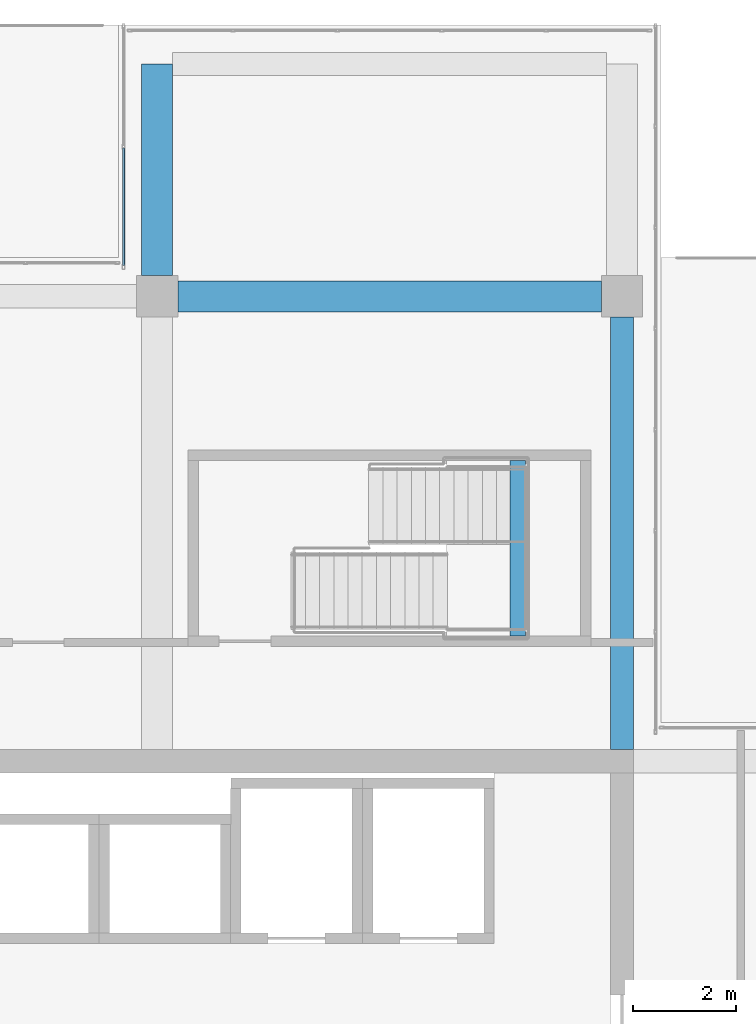
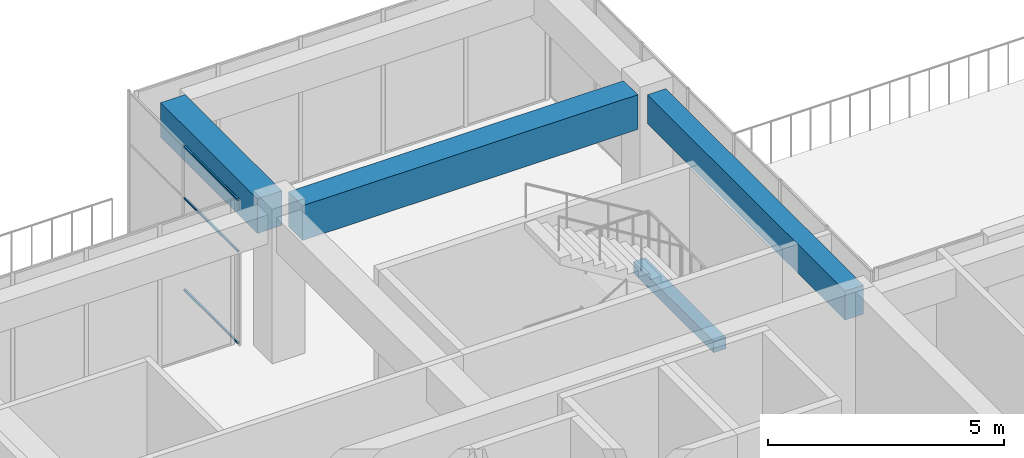
# One storey, part 50 of 81: 4 beams, 3 members, 1 element without a shape of its own.
"""IFC4 building model written with IfcOpenShell, lengths in metres."""

from ifc_helpers import new_model, si_unit, direction, frame, origin, origin_2d, place, context, subcontext, project, spatial, rectangle, hollow_rectangle, extrude, material, layer, layer_set, material_profile, profile_set, type_object, element, aggregate, save


model = new_model("IFC4")

# Units and contexts
model_context = context("Model", 3, precision=1e-05, world=origin(), true_north=direction((0.0, 1.0)))
body_context = subcontext(model_context, "Body", "Model", "MODEL_VIEW")
ifc_project = project(units=[si_unit("LENGTHUNIT", "METRE"), si_unit("AREAUNIT", "SQUARE_METRE"), si_unit("VOLUMEUNIT", "CUBIC_METRE"), si_unit("PLANEANGLEUNIT", "RADIAN"), si_unit("MASSUNIT", "GRAM", prefix="KILO")], contexts=[model_context])

# Site, building, storey
site_placement = place(None, origin())
site = spatial("IfcSite", under=ifc_project, at=site_placement, CompositionType="ELEMENT")
building_placement = place(site_placement, origin())
building = spatial("IfcBuilding", under=site, at=building_placement, Name="Tuart Plaza Theatre", CompositionType="ELEMENT")
storey_placement = place(building_placement, frame((0.0, 0.0, 17.5)))
storey = spatial("IfcBuildingStorey", under=building, at=storey_placement, Name="L04", CompositionType="ELEMENT", Elevation=17.5)

# Beams
ifc_material_1 = material(Name="Concrete N40 (40 MPa)", Category="concrete")
ifc_material_profile_1 = material_profile(ifc_material_1, rectangle(XDim=0.300048828125, YDim=0.300048828125, at=origin_2d()), Name="BEAM 300x300 Concrete N40 (40 MPa)")
ifc_profile_set_1 = profile_set([ifc_material_profile_1], Name="Concrete N40 (40 MPa)")
beam_type_1 = type_object("IfcBeamType", Name="BEAM 300x300 Concrete N40 (40 MPa)", PredefinedType="BEAM", material=ifc_profile_set_1)
beam_1_placement = place(storey_placement, frame((138.97998046875, 85.425048828125, 1.64990234375), z_axis=(0.0, 1.0, 0.0), x_axis=(-1.0, 0.0, 0.0)))
element("IfcBeam", 1, at=beam_1_placement, inside=storey, type_object=beam_type_1, Name="RB516", PredefinedType="BEAM", context=body_context, shape_type="SweptSolid", body=[
    extrude(rectangle(XDim=0.300048828125, YDim=0.300048828125, at=origin_2d()), origin(), (0.0, 0.0, 1.0), 3.39990234375),
])
ifc_material_2 = material(Name="Concrete N40 (40 MPa)", Category="concrete")
ifc_material_profile_2 = material_profile(ifc_material_2, rectangle(XDim=0.449951171875, YDim=0.75, at=origin_2d()), Name="BEAM 450x750 Concrete N40 (40 MPa)")
ifc_profile_set_2 = profile_set([ifc_material_profile_2], Name="Concrete N40 (40 MPa)")
beam_type_2 = type_object("IfcBeamType", Name="BEAM 450x750 Concrete N40 (40 MPa)", PredefinedType="BEAM", material=ifc_profile_set_2)
beam_2_placement = place(storey_placement, frame((141.0, 83.22509765625, 3.375), z_axis=(0.0, 1.0, 0.0), x_axis=(-1.0, 0.0, 0.0)))
element("IfcBeam", 2, at=beam_2_placement, inside=storey, type_object=beam_type_2, Name="RB232", PredefinedType="BEAM", context=body_context, shape_type="SweptSolid", body=[
    extrude(rectangle(XDim=0.449951171875, YDim=0.75, at=origin_2d()), origin(), (0.0, 0.0, 1.0), 8.375),
])
ifc_material_3 = material(Name="Concrete N40 (40 MPa)", Category="concrete")
ifc_material_profile_3 = material_profile(ifc_material_3, rectangle(XDim=0.60009765625, YDim=0.89990234375, at=origin_2d()), Name="BEAM 600x900 Concrete N40 (40 MPa)")
ifc_profile_set_3 = profile_set([ifc_material_profile_3], Name="Concrete N40 (40 MPa)")
beam_type_3 = type_object("IfcBeamType", Name="BEAM 600x900 Concrete N40 (40 MPa)", PredefinedType="BEAM", material=ifc_profile_set_3)
beam_3_placement = place(storey_placement, frame((132.0, 92.39990234375, 3.300048828125), z_axis=(0.0, 1.0, 0.0), x_axis=(-1.0, 0.0, 0.0)))
element("IfcBeam", 3, at=beam_3_placement, inside=storey, type_object=beam_type_3, Name="RB225", PredefinedType="BEAM", context=body_context, shape_type="SweptSolid", body=[
    extrude(rectangle(XDim=0.60009765625, YDim=0.89990234375, at=origin_2d()), origin(), (0.0, 0.0, 1.0), 4.10009765625),
])
beam_4_placement = place(storey_placement, frame((132.39990234375, 92.0, 3.300048828125), z_axis=(1.0, 0.0, 0.0), x_axis=(0.0, 1.0, 0.0)))
element("IfcBeam", 4, at=beam_4_placement, inside=storey, type_object=beam_type_3, Name="RB226", PredefinedType="BEAM", context=body_context, shape_type="SweptSolid", body=[
    extrude(rectangle(XDim=0.60009765625, YDim=0.89990234375, at=origin_2d()), origin(), (0.0, 0.0, 1.0), 8.2001953125),
])

# Curtain wall, members
ifc_material_4 = material(Name="Aluminium and glass", Category="aluminium")
ifc_layer = layer(ifc_material_4, 0.10009765625)
ifc_layer_set = layer_set([ifc_layer], Name="CURTAIN WALL 2000 module")
curtain_wall_type = type_object("IfcCurtainWallType", Name="CURTAIN WALL 2000 module", PredefinedType="NOTDEFINED", material=ifc_layer_set)
curtain_wall_placement = place(storey_placement, origin())
curtain_wall = element("IfcCurtainWall", 5, at=curtain_wall_placement, inside=storey, type_object=curtain_wall_type, Name="CW83", PredefinedType="NOTDEFINED")
ifc_material_5 = material(Name="Aluminium 6063-T5", Category="aluminium")
ifc_material_profile_4 = material_profile(ifc_material_5, hollow_rectangle(XDim=0.050048828125, YDim=0.050048828125, WallThickness=0.00390625, InnerFilletRadius=0.00390625, OuterFilletRadius=0.008056640625, at=origin_2d()), Name="RHS 50x50x4")
ifc_profile_set_4 = profile_set([ifc_material_profile_4], Name="Aluminium 6063-T5")
member_type = type_object("IfcMemberType", Name="TRANSOM RHS 50x50x4", PredefinedType="USERDEFINED", material=ifc_profile_set_4)
member_1_placement = place(storey_placement, frame((131.35009765625, 94.875, 0.02490234375), z_axis=(0.0, -1.0, 0.0), x_axis=(1.0, 0.0, 0.0)))
member_1 = element("IfcMember", 6, at=member_1_placement, type_object=member_type, Name="CW83 transom 2.1", ObjectType="TRANSOM", PredefinedType="USERDEFINED", context=body_context, shape_type="SweptSolid", body=[
    extrude(hollow_rectangle(XDim=0.050048828125, YDim=0.050048828125, WallThickness=0.00390625, InnerFilletRadius=0.00390625, OuterFilletRadius=0.008056640625, at=origin_2d()), origin(), (0.0, 0.0, 1.0), 2.27490234375),
])
member_2_placement = place(storey_placement, frame((131.35009765625, 94.875, 2.39990234375), z_axis=(0.0, -1.0, 0.0), x_axis=(1.0, 0.0, 0.0)))
member_2 = element("IfcMember", 7, at=member_2_placement, type_object=member_type, Name="CW83 transom 2.2", ObjectType="TRANSOM", PredefinedType="USERDEFINED", context=body_context, shape_type="SweptSolid", body=[
    extrude(hollow_rectangle(XDim=0.050048828125, YDim=0.050048828125, WallThickness=0.00390625, InnerFilletRadius=0.00390625, OuterFilletRadius=0.008056640625, at=origin_2d()), origin(), (0.0, 0.0, 1.0), 2.27490234375),
])
member_3_placement = place(storey_placement, frame((131.35009765625, 94.875, 3.72509765625), z_axis=(0.0, -1.0, 0.0), x_axis=(1.0, 0.0, 0.0)))
member_3 = element("IfcMember", 8, at=member_3_placement, type_object=member_type, Name="CW83 transom 2.3", ObjectType="TRANSOM", PredefinedType="USERDEFINED", context=body_context, shape_type="SweptSolid", body=[
    extrude(hollow_rectangle(XDim=0.050048828125, YDim=0.050048828125, WallThickness=0.00390625, InnerFilletRadius=0.00390625, OuterFilletRadius=0.008056640625, at=origin_2d()), origin(), (0.0, 0.0, 1.0), 2.27490234375),
])
aggregate(curtain_wall, [member_1, member_2, member_3])

save(model, "model.ifc")
